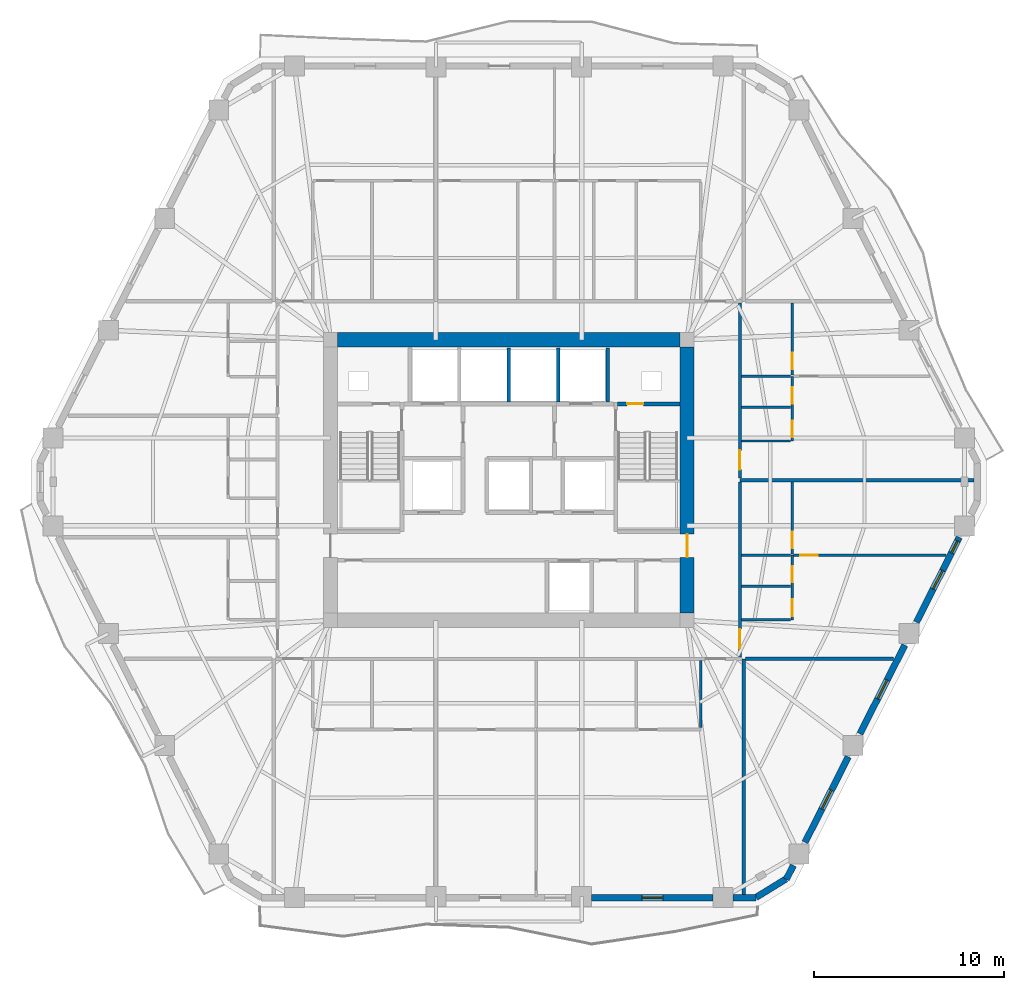
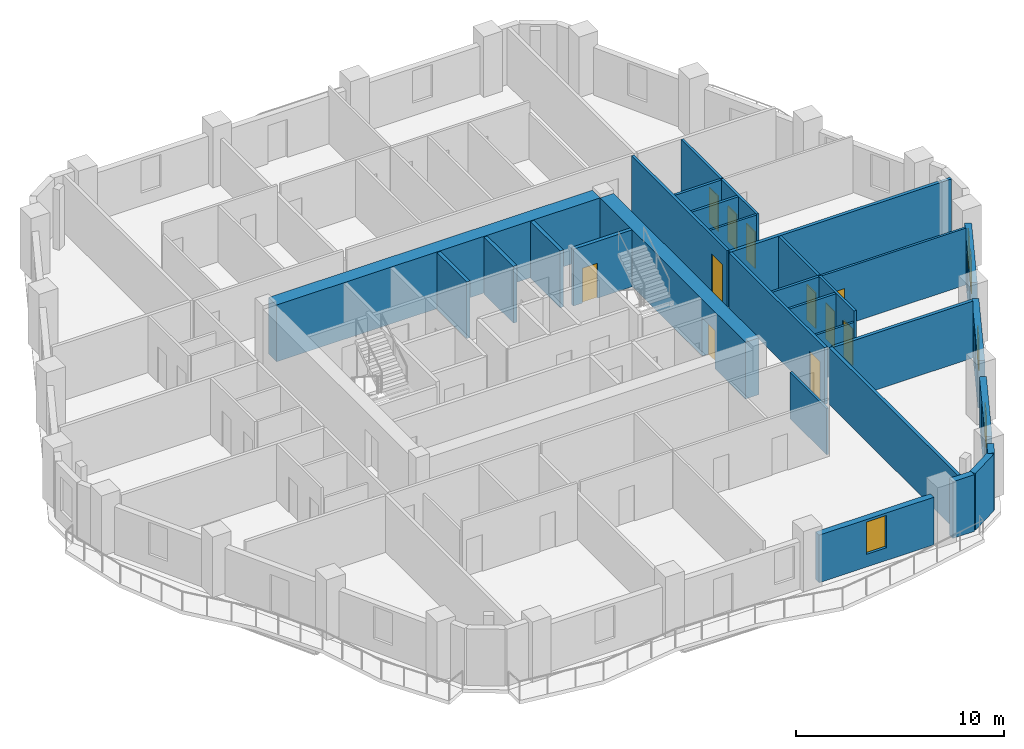
# One storey, part 6 of 11: 30 walls, 11 doors, 5 windows, 16 openings.
"""IFC4 building model written with IfcOpenShell, lengths in metres."""

from ifc_helpers import new_model, si_unit, direction, frame, frame_2d, origin, place, context, subcontext, project, spatial, rectangle, extrude, material, layer, layer_set, type_object, element, fill, save


model = new_model("IFC4")

# Units and contexts
model_context = context("Model", 3, precision=1e-05, world=origin(), true_north=direction((0.0, 1.0)))
body_context = subcontext(model_context, "Body", "Model", "MODEL_VIEW")
ifc_project = project(units=[si_unit("LENGTHUNIT", "METRE"), si_unit("AREAUNIT", "SQUARE_METRE"), si_unit("VOLUMEUNIT", "CUBIC_METRE"), si_unit("PLANEANGLEUNIT", "RADIAN"), si_unit("MASSUNIT", "GRAM", prefix="KILO")], contexts=[model_context])

# Site, building, storey
site_placement = place(None, origin())
site = spatial("IfcSite", under=ifc_project, at=site_placement, CompositionType="ELEMENT")
building_placement = place(site_placement, origin())
building = spatial("IfcBuilding", under=site, at=building_placement, Name="Cinnabar Lancet Tower", CompositionType="ELEMENT")
storey_placement = place(building_placement, frame((0.0, 0.0, 133.89990234375)))
storey = spatial("IfcBuildingStorey", under=building, at=storey_placement, Name="L35", CompositionType="ELEMENT", Elevation=133.89990234375)

# Wall, opening, door
ifc_material_1 = material(Name="Acoustic twin-stud gypsum partition", Category="gypsum")
ifc_layer_1 = layer(ifc_material_1, 0.159912109375)
ifc_layer_set_1 = layer_set([ifc_layer_1], Name="Acoustic twin-stud gypsum partition")
wall_type_1 = type_object("IfcWallType", Name="ARC-WL-CORR-160", PredefinedType="PARTITIONING", material=ifc_layer_set_1)
wall_1_placement = place(storey_placement, frame((44.550048828125, 16.594970703125, 0.0), z_axis=(0.0, 0.0, 1.0), x_axis=(0.0, 1.0, 0.0)))
wall_1 = element("IfcWall", 1, at=wall_1_placement, inside=storey, type_object=wall_type_1, Name="UW-L35-E01-COR", PredefinedType="PARTITIONING", context=body_context, shape_type="SweptSolid", body=[
    extrude(rectangle(XDim=9.2099609375, YDim=0.159912109375, at=frame_2d((4.60498046875, 0.0))), origin(), (0.0, 0.0, 1.0), 3.340087890625),
])
opening_1_placement = place(wall_1_placement, frame((0.449951171875, 0.0, 0.0)))
opening_1 = element("IfcOpeningElement", 2, at=opening_1_placement, cuts=wall_1, Name="Opening UD-01", PredefinedType="OPENING", context=body_context, shape_type="SweptSolid", body=[
    extrude(rectangle(XDim=1.02001953125, YDim=2.25, at=frame_2d((0.510009765625, 1.125))), frame((0.0, 0.08984375, 0.0), z_axis=(0.0, -1.0, 0.0), x_axis=(1.0, 0.0, 0.0)), (0.0, 0.0, 1.0), 0.179931640625),
])
ifc_material_2 = material(Name="Solid timber fire-rated apartment entrance door", Category="wood")
door_type_1 = type_object("IfcDoorType", Name="ARC-DR-UNIT", OperationType="NOTDEFINED", PredefinedType="DOOR", material=ifc_material_2)
door_1_placement = place(opening_1_placement, origin())
door_1 = element("IfcDoor", 3, at=door_1_placement, inside=storey, type_object=door_type_1, Name="DR-L35-E01-ENT", OperationType="SINGLE_SWING_RIGHT", OverallHeight=2.25, OverallWidth=1.02001953125, PredefinedType="DOOR", context=body_context, shape_type="SweptSolid", body=[
    extrude(rectangle(XDim=1.02001953125, YDim=2.25, at=frame_2d((0.510009765625, 1.125))), frame((0.0, 0.02490234375, 0.0), z_axis=(0.0, -1.0, 0.0), x_axis=(1.0, 0.0, 0.0)), (0.0, 0.0, 1.0), 0.050048828125),
])
fill(opening_1, door_1)

wall_2_placement = place(storey_placement, frame((44.550048828125, 25.9951171875, 0.0), z_axis=(0.0, 0.0, 1.0), x_axis=(0.0, 1.0, 0.0)))
wall_2 = element("IfcWall", 4, at=wall_2_placement, inside=storey, type_object=wall_type_1, Name="UW-L35-E02-COR", PredefinedType="PARTITIONING", context=body_context, shape_type="SweptSolid", body=[
    extrude(rectangle(XDim=9.2099609375, YDim=0.159912109375, at=frame_2d((4.60498046875, 0.0))), origin(), (0.0, 0.0, 1.0), 3.340087890625),
])
opening_2_placement = place(wall_2_placement, frame((0.449951171875, 0.0, 0.0)))
opening_2 = element("IfcOpeningElement", 5, at=opening_2_placement, cuts=wall_2, Name="Opening UD-01", PredefinedType="OPENING", context=body_context, shape_type="SweptSolid", body=[
    extrude(rectangle(XDim=1.02001953125, YDim=2.25, at=frame_2d((0.510009765625, 1.125))), frame((0.0, 0.08984375, 0.0), z_axis=(0.0, -1.0, 0.0), x_axis=(1.0, 0.0, 0.0)), (0.0, 0.0, 1.0), 0.179931640625),
])
door_2_placement = place(opening_2_placement, origin())
door_2 = element("IfcDoor", 6, at=door_2_placement, inside=storey, type_object=door_type_1, Name="DR-L35-E02-ENT", OperationType="SINGLE_SWING_LEFT", OverallHeight=2.25, OverallWidth=1.02001953125, PredefinedType="DOOR", context=body_context, shape_type="SweptSolid", body=[
    extrude(rectangle(XDim=1.02001953125, YDim=2.25, at=frame_2d((0.510009765625, 1.125))), frame((0.0, 0.02490234375, 0.0), z_axis=(0.0, -1.0, 0.0), x_axis=(1.0, 0.0, 0.0)), (0.0, 0.0, 1.0), 0.050048828125),
])
fill(opening_2, door_2)

# Walls
ifc_material_3 = material(Name="Fire-rated twin-frame acoustic drywall", Category="gypsum")
ifc_layer_2 = layer(ifc_material_3, 0.179931640625)
ifc_layer_set_2 = layer_set([ifc_layer_2], Name="Fire-rated twin-frame acoustic drywall")
wall_type_2 = type_object("IfcWallType", Name="ARC-WL-PARTY-180", PredefinedType="PARTITIONING", material=ifc_layer_set_2)
wall_3_placement = place(storey_placement, frame((44.75, 4.10498046875, 0.0), z_axis=(0.0, 0.0, 1.0), x_axis=(0.0, 1.0, 0.0)))
element("IfcWall", 7, at=wall_3_placement, inside=storey, type_object=wall_type_2, Name="PW-L35-SPTY-448", PredefinedType="PARTITIONING", context=body_context, shape_type="SweptSolid", body=[
    extrude(rectangle(XDim=12.39501953125, YDim=0.179931640625, at=frame_2d((6.197509765625, 0.0))), origin(), (0.0, 0.0, 1.0), 3.340087890625),
])
wall_4_placement = place(storey_placement, frame((44.844970703125, 16.5, 0.0), z_axis=(0.0, 0.0, 1.0), x_axis=(1.0, 0.0, 0.0)))
element("IfcWall", 8, at=wall_4_placement, inside=storey, type_object=wall_type_2, Name="PW-L35-ESB", PredefinedType="PARTITIONING", context=body_context, shape_type="SweptSolid", body=[
    extrude(rectangle(XDim=7.77001953125, YDim=0.179931640625, at=frame_2d((3.885009765625, 0.0))), origin(), (0.0, 0.0, 1.0), 3.340087890625),
])
wall_5_placement = place(storey_placement, frame((44.550048828125, 25.89990234375, 0.0), z_axis=(0.0, 0.0, 1.0), x_axis=(1.0, 0.0, 0.0)))
element("IfcWall", 9, at=wall_5_placement, inside=storey, type_object=wall_type_2, Name="PW-L35-EPTY-1", PredefinedType="PARTITIONING", context=body_context, shape_type="SweptSolid", body=[
    extrude(rectangle(XDim=12.307861328125, YDim=0.179931640625, at=frame_2d((6.15380859375, 0.0))), origin(), (0.0, 0.0, 1.0), 3.340087890625),
])

# Wall, opening, door
ifc_material_4 = material(Name="Autoclaved aerated concrete blockwork", Category="masonry")
ifc_layer_3 = layer(ifc_material_4, 0.199951171875)
ifc_layer_set_3 = layer_set([ifc_layer_3], Name="Autoclaved aerated concrete blockwork")
wall_type_3 = type_object("IfcWallType", Name="ARC-WL-SHAFT-200", PredefinedType="PLUMBINGWALL", material=ifc_layer_set_3)
wall_6_placement = place(storey_placement, frame((38.125, 29.89990234375, 0.0), z_axis=(0.0, 0.0, 1.0), x_axis=(1.0, 0.0, 0.0)))
wall_6 = element("IfcWall", 10, at=wall_6_placement, inside=storey, type_object=wall_type_3, Name="CW-NSH-E-L35", PredefinedType="PLUMBINGWALL", context=body_context, shape_type="SweptSolid", body=[
    extrude(rectangle(XDim=3.27001953125, YDim=0.199951171875, at=frame_2d((1.635009765625, 0.0))), origin(), (0.0, 0.0, 1.0), 3.340087890625),
])
opening_3_placement = place(wall_6_placement, frame((0.5, 0.0, 0.0)))
opening_3 = element("IfcOpeningElement", 11, at=opening_3_placement, cuts=wall_6, Name="Opening PD-02", PredefinedType="OPENING", context=body_context, shape_type="SweptSolid", body=[
    extrude(rectangle(XDim=0.85009765625, YDim=2.050048828125, at=frame_2d((0.425048828125, 1.02490234375))), frame((0.0, 0.10986328125, 0.0), z_axis=(0.0, -1.0, 0.0), x_axis=(1.0, 0.0, 0.0)), (0.0, 0.0, 1.0), 0.219970703125),
])
ifc_material_5 = material(Name="Fire-rated steel riser access door", Category="steel")
door_type_2 = type_object("IfcDoorType", Name="ARC-DR-RISER", OperationType="NOTDEFINED", PredefinedType="DOOR", material=ifc_material_5)
door_3_placement = place(opening_3_placement, origin())
door_3 = element("IfcDoor", 12, at=door_3_placement, inside=storey, type_object=door_type_2, Name="L35 East Riser Access Door", OperationType="SINGLE_SWING_RIGHT", OverallHeight=2.050048828125, OverallWidth=0.85009765625, PredefinedType="DOOR", context=body_context, shape_type="SweptSolid", body=[
    extrude(rectangle(XDim=0.85009765625, YDim=2.050048828125, at=frame_2d((0.425048828125, 1.02490234375))), frame((0.0, 0.02490234375, 0.0), z_axis=(0.0, -1.0, 0.0), x_axis=(1.0, 0.0, 0.0)), (0.0, 0.0, 1.0), 0.050048828125),
])
fill(opening_3, door_3)

# Walls
for number, where, z_axis, x_axis, name in (
    (13, (32.39990234375, 30.0, 0.0), (0.0, 0.0, 1.0), (0.0, 1.0, 0.0), "CW-NSH-D3-L35"),
    (14, (35.0, 30.0, 0.0), (0.0, 0.0, 1.0), (0.0, 1.0, 0.0), "CW-NSH-D4-L35"),
    (15, (37.60009765625, 30.0, 0.0), (0.0, 0.0, 1.0), (0.0, 1.0, 0.0), "CW-NSH-D5-L35"),
):
    element("IfcWall", number, at=place(storey_placement, frame(where, z_axis=z_axis, x_axis=x_axis)), inside=storey, type_object=wall_type_3, Name=name, PredefinedType="PLUMBINGWALL", context=body_context, shape_type="SweptSolid", body=[
        extrude(rectangle(XDim=2.85009765625, YDim=0.199951171875, at=frame_2d((1.425048828125, 0.0))), origin(), (0.0, 0.0, 1.0), 3.340087890625),
    ])
ifc_material_6 = material(Name="Gypsum plasterboard stud partition", Category="gypsum")
ifc_layer_4 = layer(ifc_material_6, 0.125)
ifc_layer_set_4 = layer_set([ifc_layer_4], Name="Gypsum plasterboard stud partition")
wall_type_4 = type_object("IfcWallType", Name="ARC-WL-UNIT-125", PredefinedType="PARTITIONING", material=ifc_layer_set_4)
wall_7_placement = place(storey_placement, frame((42.5, 12.886962890625, 0.0), z_axis=(0.0, 0.0, 1.0), x_axis=(0.0, 1.0, 0.0)))
element("IfcWall", 16, at=wall_7_placement, inside=storey, type_object=wall_type_4, Name="UW-L35-S02-FOYW", PredefinedType="PARTITIONING", context=body_context, shape_type="SweptSolid", body=[
    extrude(rectangle(XDim=3.528076171875, YDim=0.125, at=frame_2d((1.76416015625, 0.0))), origin(), (0.0, 0.0, 1.0), 2.72216796875),
])
wall_8_placement = place(storey_placement, frame((44.635009765625, 18.550048828125, 0.0), z_axis=(0.0, 0.0, 1.0), x_axis=(1.0, 0.0, 0.0)))
element("IfcWall", 17, at=wall_8_placement, inside=storey, type_object=wall_type_4, Name="UW-L35-E01-FOYN", PredefinedType="PARTITIONING", context=body_context, shape_type="SweptSolid", body=[
    extrude(rectangle(XDim=2.580078125, YDim=0.125, at=frame_2d((1.2900390625, 0.0))), origin(), (0.0, 0.0, 1.0), 2.72216796875),
])

# Wall, opening, door
wall_9_placement = place(storey_placement, frame((47.375, 21.949951171875, 0.0), z_axis=(0.0, 0.0, 1.0), x_axis=(1.0, 0.0, 0.0)))
wall_9 = element("IfcWall", 18, at=wall_9_placement, inside=storey, type_object=wall_type_4, Name="UW-L35-E01-MBN", PredefinedType="PARTITIONING", context=body_context, shape_type="SweptSolid", body=[
    extrude(rectangle(XDim=8.012939453125, YDim=0.125, at=frame_2d((4.00634765625, 0.0))), origin(), (0.0, 0.0, 1.0), 3.340087890625),
])
opening_4_placement = place(wall_9_placement, frame((0.35009765625, 0.0, 0.0)))
opening_4 = element("IfcOpeningElement", 19, at=opening_4_placement, cuts=wall_9, Name="Opening RD-01", PredefinedType="OPENING", context=body_context, shape_type="SweptSolid", body=[
    extrude(rectangle(XDim=0.919921875, YDim=2.14990234375, at=frame_2d((0.4599609375, 1.074951171875))), frame((0.0, 0.072509765625, 0.0), z_axis=(0.0, -1.0, 0.0), x_axis=(1.0, 0.0, 0.0)), (0.0, 0.0, 1.0), 0.14501953125),
])
ifc_material_7 = material(Name="Engineered timber bedroom door", Category="wood")
door_type_3 = type_object("IfcDoorType", Name="ARC-DR-ROOM", OperationType="NOTDEFINED", PredefinedType="DOOR", material=ifc_material_7)
door_4_placement = place(opening_4_placement, origin())
door_4 = element("IfcDoor", 20, at=door_4_placement, inside=storey, type_object=door_type_3, Name="DR-L35-E01-MBD", OperationType="SINGLE_SWING_RIGHT", OverallHeight=2.14990234375, OverallWidth=0.919921875, PredefinedType="DOOR", context=body_context, shape_type="SweptSolid", body=[
    extrude(rectangle(XDim=0.919921875, YDim=2.14990234375, at=frame_2d((0.4599609375, 1.074951171875))), frame((0.0, 0.02490234375, 0.0), z_axis=(0.0, -1.0, 0.0), x_axis=(1.0, 0.0, 0.0)), (0.0, 0.0, 1.0), 0.050048828125),
])
fill(opening_4, door_4)

# Wall
wall_10_placement = place(storey_placement, frame((44.635009765625, 27.949951171875, 0.0), z_axis=(0.0, 0.0, 1.0), x_axis=(1.0, 0.0, 0.0)))
element("IfcWall", 21, at=wall_10_placement, inside=storey, type_object=wall_type_4, Name="UW-L35-E02-FOYN", PredefinedType="PARTITIONING", context=body_context, shape_type="SweptSolid", body=[
    extrude(rectangle(XDim=2.580078125, YDim=0.125, at=frame_2d((1.2900390625, 0.0))), origin(), (0.0, 0.0, 1.0), 3.340087890625),
])

# Wall, openings, doors
ifc_material_8 = material(Name="Moisture-resistant cement-board plumbing wall", Category="masonry")
ifc_layer_5 = layer(ifc_material_8, 0.139892578125)
ifc_layer_set_5 = layer_set([ifc_layer_5], Name="Moisture-resistant cement-board plumbing wall")
wall_type_5 = type_object("IfcWallType", Name="ARC-WL-WET-140", PredefinedType="PLUMBINGWALL", material=ifc_layer_set_5)
wall_11_placement = place(storey_placement, frame((47.300048828125, 18.550048828125, 0.0), z_axis=(0.0, 0.0, 1.0), x_axis=(0.0, 1.0, 0.0)))
wall_11 = element("IfcWall", 22, at=wall_11_placement, inside=storey, type_object=wall_type_5, Name="UW-L35-E01-SPL", PredefinedType="PLUMBINGWALL", context=body_context, shape_type="SweptSolid", body=[
    extrude(rectangle(XDim=3.39990234375, YDim=0.139892578125, at=frame_2d((1.699951171875, 0.0))), origin(), (0.0, 0.0, 1.0), 3.340087890625),
])
opening_5_placement = place(wall_11_placement, frame((0.199951171875, 0.0, 0.0)))
opening_5 = element("IfcOpeningElement", 23, at=opening_5_placement, cuts=wall_11, Name="Opening RD-02", PredefinedType="OPENING", context=body_context, shape_type="SweptSolid", body=[
    extrude(rectangle(XDim=0.8798828125, YDim=2.14990234375, at=frame_2d((0.43994140625, 1.074951171875))), frame((0.0, 0.079833984375, 0.0), z_axis=(0.0, -1.0, 0.0), x_axis=(1.0, 0.0, 0.0)), (0.0, 0.0, 1.0), 0.159912109375),
])
opening_6_placement = place(wall_11_placement, frame((1.968017578125, 0.0, 0.0)))
opening_6 = element("IfcOpeningElement", 24, at=opening_6_placement, cuts=wall_11, Name="Opening BD-01", PredefinedType="OPENING", context=body_context, shape_type="SweptSolid", body=[
    extrude(rectangle(XDim=0.860107421875, YDim=2.10009765625, at=frame_2d((0.43017578125, 1.050048828125))), frame((0.0, 0.079833984375, 0.0), z_axis=(0.0, -1.0, 0.0), x_axis=(1.0, 0.0, 0.0)), (0.0, 0.0, 1.0), 0.159912109375),
])
ifc_material_9 = material(Name="Moisture-resistant timber bathroom door", Category="wood")
door_type_4 = type_object("IfcDoorType", Name="ARC-DR-BATH", OperationType="NOTDEFINED", PredefinedType="DOOR", material=ifc_material_9)
door_5_placement = place(opening_6_placement, origin())
door_5 = element("IfcDoor", 25, at=door_5_placement, inside=storey, type_object=door_type_4, Name="DR-L35-E01-BTH", OperationType="SINGLE_SWING_RIGHT", OverallHeight=2.10009765625, OverallWidth=0.860107421875, PredefinedType="DOOR", context=body_context, shape_type="SweptSolid", body=[
    extrude(rectangle(XDim=0.860107421875, YDim=2.10009765625, at=frame_2d((0.43017578125, 1.050048828125))), frame((0.0, 0.02490234375, 0.0), z_axis=(0.0, -1.0, 0.0), x_axis=(1.0, 0.0, 0.0)), (0.0, 0.0, 1.0), 0.050048828125),
])
fill(opening_6, door_5)
ifc_material_10 = material(Name="Engineered timber study door", Category="wood")
door_type_5 = type_object("IfcDoorType", Name="ARC-DR-STUDY", OperationType="NOTDEFINED", PredefinedType="DOOR", material=ifc_material_10)
door_6_placement = place(opening_5_placement, origin())
door_6 = element("IfcDoor", 26, at=door_6_placement, inside=storey, type_object=door_type_5, Name="DR-L35-E01-KIT", OperationType="SINGLE_SWING_LEFT", OverallHeight=2.14990234375, OverallWidth=0.8798828125, PredefinedType="DOOR", context=body_context, shape_type="SweptSolid", body=[
    extrude(rectangle(XDim=0.8798828125, YDim=2.14990234375, at=frame_2d((0.43994140625, 1.074951171875))), frame((0.0, 0.02490234375, 0.0), z_axis=(0.0, -1.0, 0.0), x_axis=(1.0, 0.0, 0.0)), (0.0, 0.0, 1.0), 0.050048828125),
])
fill(opening_5, door_6)

# Wall, opening, door
wall_12_placement = place(storey_placement, frame((47.300048828125, 22.02001953125, 0.0), z_axis=(0.0, 0.0, 1.0), x_axis=(0.0, 1.0, 0.0)))
wall_12 = element("IfcWall", 27, at=wall_12_placement, inside=storey, type_object=wall_type_5, Name="UW-L35-E01-SPM", PredefinedType="PLUMBINGWALL", context=body_context, shape_type="SweptSolid", body=[
    extrude(rectangle(XDim=3.784912109375, YDim=0.139892578125, at=frame_2d((1.892578125, 0.0))), origin(), (0.0, 0.0, 1.0), 3.340087890625),
])
opening_7_placement = place(wall_12_placement, frame((0.300048828125, 0.0, 0.0)))
opening_7 = element("IfcOpeningElement", 28, at=opening_7_placement, cuts=wall_12, Name="Opening BD-01", PredefinedType="OPENING", context=body_context, shape_type="SweptSolid", body=[
    extrude(rectangle(XDim=0.860107421875, YDim=2.10009765625, at=frame_2d((0.43017578125, 1.050048828125))), frame((0.0, 0.079833984375, 0.0), z_axis=(0.0, -1.0, 0.0), x_axis=(1.0, 0.0, 0.0)), (0.0, 0.0, 1.0), 0.159912109375),
])
door_7_placement = place(opening_7_placement, origin())
door_7 = element("IfcDoor", 29, at=door_7_placement, inside=storey, type_object=door_type_4, Name="DR-L35-E01-ENS", OperationType="SINGLE_SWING_RIGHT", OverallHeight=2.10009765625, OverallWidth=0.860107421875, PredefinedType="DOOR", context=body_context, shape_type="SweptSolid", body=[
    extrude(rectangle(XDim=0.860107421875, YDim=2.10009765625, at=frame_2d((0.43017578125, 1.050048828125))), frame((0.0, 0.02490234375, 0.0), z_axis=(0.0, -1.0, 0.0), x_axis=(1.0, 0.0, 0.0)), (0.0, 0.0, 1.0), 0.050048828125),
])
fill(opening_7, door_7)

# Walls
for number, where, z_axis, x_axis, name in (
    (30, (44.635009765625, 21.949951171875, 0.0), (0.0, 0.0, 1.0), (1.0, 0.0, 0.0), "UW-L35-E01-ENSN"),
    (31, (44.635009765625, 20.318115234375, 0.0), (0.0, 0.0, 1.0), (1.0, 0.0, 0.0), "UW-L35-E01-KDV"),
):
    element("IfcWall", number, at=place(storey_placement, frame(where, z_axis=z_axis, x_axis=x_axis)), inside=storey, type_object=wall_type_5, Name=name, PredefinedType="PLUMBINGWALL", context=body_context, shape_type="SweptSolid", body=[
        extrude(rectangle(XDim=2.580078125, YDim=0.139892578125, at=frame_2d((1.2900390625, 0.0))), origin(), (0.0, 0.0, 1.0), 3.340087890625),
    ])

# Wall, openings, doors
wall_13_placement = place(storey_placement, frame((47.300048828125, 27.949951171875, 0.0), z_axis=(0.0, 0.0, 1.0), x_axis=(0.0, 1.0, 0.0)))
wall_13 = element("IfcWall", 32, at=wall_13_placement, inside=storey, type_object=wall_type_5, Name="UW-L35-E02-SPL", PredefinedType="PLUMBINGWALL", context=body_context, shape_type="SweptSolid", body=[
    extrude(rectangle(XDim=3.402099609375, YDim=0.139892578125, at=frame_2d((1.701171875, 0.0))), origin(), (0.0, 0.0, 1.0), 3.340087890625),
])
opening_8_placement = place(wall_13_placement, frame((0.199951171875, 0.0, 0.0)))
opening_8 = element("IfcOpeningElement", 33, at=opening_8_placement, cuts=wall_13, Name="Opening RD-02", PredefinedType="OPENING", context=body_context, shape_type="SweptSolid", body=[
    extrude(rectangle(XDim=0.8798828125, YDim=2.14990234375, at=frame_2d((0.43994140625, 1.074951171875))), frame((0.0, 0.079833984375, 0.0), z_axis=(0.0, -1.0, 0.0), x_axis=(1.0, 0.0, 0.0)), (0.0, 0.0, 1.0), 0.159912109375),
])
opening_9_placement = place(wall_13_placement, frame((1.968994140625, 0.0, 0.0)))
opening_9 = element("IfcOpeningElement", 34, at=opening_9_placement, cuts=wall_13, Name="Opening BD-01", PredefinedType="OPENING", context=body_context, shape_type="SweptSolid", body=[
    extrude(rectangle(XDim=0.860107421875, YDim=2.10009765625, at=frame_2d((0.43017578125, 1.050048828125))), frame((0.0, 0.079833984375, 0.0), z_axis=(0.0, -1.0, 0.0), x_axis=(1.0, 0.0, 0.0)), (0.0, 0.0, 1.0), 0.159912109375),
])
door_8_placement = place(opening_9_placement, origin())
door_8 = element("IfcDoor", 35, at=door_8_placement, inside=storey, type_object=door_type_4, Name="DR-L35-E02-BTH", OperationType="SINGLE_SWING_LEFT", OverallHeight=2.10009765625, OverallWidth=0.860107421875, PredefinedType="DOOR", context=body_context, shape_type="SweptSolid", body=[
    extrude(rectangle(XDim=0.860107421875, YDim=2.10009765625, at=frame_2d((0.43017578125, 1.050048828125))), frame((0.0, 0.02490234375, 0.0), z_axis=(0.0, -1.0, 0.0), x_axis=(1.0, 0.0, 0.0)), (0.0, 0.0, 1.0), 0.050048828125),
])
fill(opening_9, door_8)
door_9_placement = place(opening_8_placement, origin())
door_9 = element("IfcDoor", 36, at=door_9_placement, inside=storey, type_object=door_type_5, Name="DR-L35-E02-KIT", OperationType="SINGLE_SWING_RIGHT", OverallHeight=2.14990234375, OverallWidth=0.8798828125, PredefinedType="DOOR", context=body_context, shape_type="SweptSolid", body=[
    extrude(rectangle(XDim=0.8798828125, YDim=2.14990234375, at=frame_2d((0.43994140625, 1.074951171875))), frame((0.0, 0.02490234375, 0.0), z_axis=(0.0, -1.0, 0.0), x_axis=(1.0, 0.0, 0.0)), (0.0, 0.0, 1.0), 0.050048828125),
])
fill(opening_8, door_9)

# Wall, opening, door
wall_14_placement = place(storey_placement, frame((47.300048828125, 31.422119140625, 0.0), z_axis=(0.0, 0.0, 1.0), x_axis=(0.0, 1.0, 0.0)))
wall_14 = element("IfcWall", 37, at=wall_14_placement, inside=storey, type_object=wall_type_5, Name="UW-L35-E02-SPM", PredefinedType="PLUMBINGWALL", context=body_context, shape_type="SweptSolid", body=[
    extrude(rectangle(XDim=3.782958984375, YDim=0.139892578125, at=frame_2d((1.8916015625, 0.0))), origin(), (0.0, 0.0, 1.0), 3.340087890625),
])
opening_10_placement = place(wall_14_placement, frame((0.300048828125, 0.0, 0.0)))
opening_10 = element("IfcOpeningElement", 38, at=opening_10_placement, cuts=wall_14, Name="Opening BD-01", PredefinedType="OPENING", context=body_context, shape_type="SweptSolid", body=[
    extrude(rectangle(XDim=0.860107421875, YDim=2.10009765625, at=frame_2d((0.43017578125, 1.050048828125))), frame((0.0, 0.079833984375, 0.0), z_axis=(0.0, -1.0, 0.0), x_axis=(1.0, 0.0, 0.0)), (0.0, 0.0, 1.0), 0.159912109375),
])
door_10_placement = place(opening_10_placement, origin())
door_10 = element("IfcDoor", 39, at=door_10_placement, inside=storey, type_object=door_type_4, Name="DR-L35-E02-ENS", OperationType="SINGLE_SWING_LEFT", OverallHeight=2.10009765625, OverallWidth=0.860107421875, PredefinedType="DOOR", context=body_context, shape_type="SweptSolid", body=[
    extrude(rectangle(XDim=0.860107421875, YDim=2.10009765625, at=frame_2d((0.43017578125, 1.050048828125))), frame((0.0, 0.02490234375, 0.0), z_axis=(0.0, -1.0, 0.0), x_axis=(1.0, 0.0, 0.0)), (0.0, 0.0, 1.0), 0.050048828125),
])
fill(opening_10, door_10)

# Walls
for number, where, z_axis, x_axis, name in (
    (40, (44.635009765625, 31.35205078125, 0.0), (0.0, 0.0, 1.0), (1.0, 0.0, 0.0), "UW-L35-E02-ENSN"),
    (41, (44.635009765625, 29.718994140625, 0.0), (0.0, 0.0, 1.0), (1.0, 0.0, 0.0), "UW-L35-E02-KDV"),
):
    element("IfcWall", number, at=place(storey_placement, frame(where, z_axis=z_axis, x_axis=x_axis)), inside=storey, type_object=wall_type_5, Name=name, PredefinedType="PLUMBINGWALL", context=body_context, shape_type="SweptSolid", body=[
        extrude(rectangle(XDim=2.580078125, YDim=0.139892578125, at=frame_2d((1.2900390625, 0.0))), origin(), (0.0, 0.0, 1.0), 3.340087890625),
    ])
ifc_material_11 = material(Name="Cinnabar red clay brick", Category="masonry")
ifc_layer_6 = layer(ifc_material_11, 0.340087890625)
ifc_layer_set_6 = layer_set([ifc_layer_6], Name="Cinnabar red clay brick")
wall_type_6 = type_object("IfcWallType", Name="ENV-WL-BRK-RED-340", PredefinedType="STANDARD", material=ifc_layer_set_6)
wall_15_placement = place(storey_placement, frame((45.39697265625, 3.955078125, 0.0), z_axis=(0.0, 0.0, 1.0), x_axis=(0.851798915137, 0.523868884523, 0.0)))
element("IfcWall", 42, at=wall_15_placement, inside=storey, type_object=wall_type_6, Name="L35 Chamfered Corner Brick Pier 2.1", PredefinedType="STANDARD", context=body_context, shape_type="SweptSolid", body=[
    extrude(rectangle(XDim=1.847900390625, YDim=0.340087890625, at=frame_2d((0.923828125, 0.0))), origin(), (0.0, 0.0, 1.0), 3.340087890625),
])

# Wall, opening, window
wall_16_placement = place(storey_placement, frame((36.760986328125, 3.929931640625, 0.0), z_axis=(0.0, 0.0, 1.0), x_axis=(1.0, 0.0, 0.0)))
wall_16 = element("IfcWall", 43, at=wall_16_placement, inside=storey, type_object=wall_type_6, Name="L35 Face 1 Masonry Bay Wall 4", PredefinedType="STANDARD", context=body_context, shape_type="SweptSolid", body=[
    extrude(rectangle(XDim=6.37890625, YDim=0.340087890625, at=frame_2d((3.189453125, 0.0))), origin(), (0.0, 0.0, 1.0), 2.797119140625),
])
opening_11_placement = place(wall_16_placement, frame((2.638916015625, 0.0, 0.75)))
opening_11 = element("IfcOpeningElement", 44, at=opening_11_placement, cuts=wall_16, Name="Opening WN-04", PredefinedType="OPENING", context=body_context, shape_type="SweptSolid", body=[
    extrude(rectangle(XDim=1.10009765625, YDim=1.89697265625, at=frame_2d((0.550048828125, 0.948486328125))), frame((0.0, 0.179931640625, 0.0), z_axis=(0.0, -1.0, 0.0), x_axis=(1.0, 0.0, 0.0)), (0.0, 0.0, 1.0), 0.360107421875),
])
ifc_material_12 = material(Name="Thermally broken bronze-anodized aluminium tall lancet window", Category="aluminium")
window_type = type_object("IfcWindowType", Name="ENV-WN-LANCET-1100", PartitioningType="SINGLE_PANEL", PredefinedType="WINDOW", material=ifc_material_12)
window_1_placement = place(opening_11_placement, origin())
window_1 = element("IfcWindow", 45, at=window_1_placement, inside=storey, type_object=window_type, Name="L35 Face 1 Gothic Lancet Window 4", OverallHeight=1.89697265625, OverallWidth=1.10009765625, PartitioningType="SINGLE_PANEL", PredefinedType="WINDOW", context=body_context, shape_type="SweptSolid", body=[
    extrude(rectangle(XDim=1.10009765625, YDim=1.89697265625, at=frame_2d((0.550048828125, 0.948486328125))), frame((0.0, 0.030029296875, 0.0), z_axis=(0.0, -1.0, 0.0), x_axis=(1.0, 0.0, 0.0)), (0.0, 0.0, 1.0), 0.06005859375),
])
fill(opening_11, window_1)

# Walls
wall_17_placement = place(storey_placement, frame((44.197998046875, 3.929931640625, 0.0), z_axis=(0.0, 0.0, 1.0), x_axis=(1.0, 0.0, 0.0)))
element("IfcWall", 46, at=wall_17_placement, inside=storey, type_object=wall_type_6, Name="L35 Face 1 Masonry Bay Wall 5", PredefinedType="STANDARD", context=body_context, shape_type="SweptSolid", body=[
    extrude(rectangle(XDim=1.2041015625, YDim=0.340087890625, at=frame_2d((0.60205078125, 0.0))), origin(), (0.0, 0.0, 1.0), 3.340087890625),
])
wall_18_placement = place(storey_placement, frame((46.990966796875, 4.906982421875, 0.0), z_axis=(0.0, 0.0, 1.0), x_axis=(0.45172514337, 0.892157158155, 0.0)))
element("IfcWall", 47, at=wall_18_placement, inside=storey, type_object=wall_type_6, Name="L35 Face 2 Masonry Bay Wall 1", PredefinedType="STANDARD", context=body_context, shape_type="SweptSolid", body=[
    extrude(rectangle(XDim=0.821533203125, YDim=0.340087890625, at=frame_2d((0.41064453125, 0.0))), origin(), (0.0, 0.0, 1.0), 3.340087890625),
])

# Wall, opening, window
wall_19_placement = place(storey_placement, frame((47.97509765625, 6.85205078125, 0.0), z_axis=(0.0, 0.0, 1.0), x_axis=(0.451548465867, 0.892246593142, 0.0)))
wall_19 = element("IfcWall", 48, at=wall_19_placement, inside=storey, type_object=wall_type_6, Name="L35 Face 2 Masonry Bay Wall 2", PredefinedType="STANDARD", context=body_context, shape_type="SweptSolid", body=[
    extrude(rectangle(XDim=5.040283203125, YDim=0.340087890625, at=frame_2d((2.52001953125, 0.0))), origin(), (0.0, 0.0, 1.0), 2.797119140625),
])
opening_12_placement = place(wall_19_placement, frame((1.969970703125, 0.0, 0.75)))
opening_12 = element("IfcOpeningElement", 49, at=opening_12_placement, cuts=wall_19, Name="Opening WN-04", PredefinedType="OPENING", context=body_context, shape_type="SweptSolid", body=[
    extrude(rectangle(XDim=1.10009765625, YDim=1.89697265625, at=frame_2d((0.550048828125, 0.948486328125))), frame((0.0, 0.179931640625, 0.0), z_axis=(0.0, -1.0, 0.0), x_axis=(1.0, 0.0, 0.0)), (0.0, 0.0, 1.0), 0.360107421875),
])
window_2_placement = place(opening_12_placement, origin())
window_2 = element("IfcWindow", 50, at=window_2_placement, inside=storey, type_object=window_type, Name="L35 Face 2 Gothic Lancet Window 2", OverallHeight=1.89697265625, OverallWidth=1.10009765625, PartitioningType="SINGLE_PANEL", PredefinedType="WINDOW", context=body_context, shape_type="SweptSolid", body=[
    extrude(rectangle(XDim=1.10009765625, YDim=1.89697265625, at=frame_2d((0.550048828125, 0.948486328125))), frame((0.0, 0.030029296875, 0.0), z_axis=(0.0, -1.0, 0.0), x_axis=(1.0, 0.0, 0.0)), (0.0, 0.0, 1.0), 0.06005859375),
])
fill(opening_12, window_2)

wall_20_placement = place(storey_placement, frame((50.863037109375, 12.56103515625, 0.0), z_axis=(0.0, 0.0, 1.0), x_axis=(0.451567731634, 0.892236842855, 0.0)))
wall_20 = element("IfcWall", 51, at=wall_20_placement, inside=storey, type_object=wall_type_6, Name="L35 Face 2 Masonry Bay Wall 3", PredefinedType="STANDARD", context=body_context, shape_type="SweptSolid", body=[
    extrude(rectangle(XDim=5.219482421875, YDim=0.340087890625, at=frame_2d((2.60986328125, 0.0))), origin(), (0.0, 0.0, 1.0), 2.797119140625),
])
opening_13_placement = place(wall_20_placement, frame((2.06005859375, 0.0, 0.75)))
opening_13 = element("IfcOpeningElement", 52, at=opening_13_placement, cuts=wall_20, Name="Opening WN-04", PredefinedType="OPENING", context=body_context, shape_type="SweptSolid", body=[
    extrude(rectangle(XDim=1.10009765625, YDim=1.89697265625, at=frame_2d((0.550048828125, 0.948486328125))), frame((0.0, 0.179931640625, 0.0), z_axis=(0.0, -1.0, 0.0), x_axis=(1.0, 0.0, 0.0)), (0.0, 0.0, 1.0), 0.360107421875),
])
window_3_placement = place(opening_13_placement, origin())
window_3 = element("IfcWindow", 53, at=window_3_placement, inside=storey, type_object=window_type, Name="L35 Face 2 Gothic Lancet Window 3", OverallHeight=1.89697265625, OverallWidth=1.10009765625, PartitioningType="SINGLE_PANEL", PredefinedType="WINDOW", context=body_context, shape_type="SweptSolid", body=[
    extrude(rectangle(XDim=1.10009765625, YDim=1.89697265625, at=frame_2d((0.550048828125, 0.948486328125))), frame((0.0, 0.030029296875, 0.0), z_axis=(0.0, -1.0, 0.0), x_axis=(1.0, 0.0, 0.0)), (0.0, 0.0, 1.0), 0.06005859375),
])
fill(opening_13, window_3)

# Wall, openings, windows
wall_21_placement = place(storey_placement, frame((53.83203125, 18.427978515625, 0.0), z_axis=(0.0, 0.0, 1.0), x_axis=(0.451431617681, 0.892305718102, 0.0)))
wall_21 = element("IfcWall", 54, at=wall_21_placement, inside=storey, type_object=wall_type_6, Name="L35 Face 2 Masonry Bay Wall 4", PredefinedType="STANDARD", context=body_context, shape_type="SweptSolid", body=[
    extrude(rectangle(XDim=4.994873046875, YDim=0.340087890625, at=frame_2d((2.49755859375, 0.0))), origin(), (0.0, 0.0, 1.0), 2.797119140625),
])
opening_14_placement = place(wall_21_placement, frame((1.947021484375, 0.0, 0.75)))
opening_14 = element("IfcOpeningElement", 55, at=opening_14_placement, cuts=wall_21, Name="Opening WN-04", PredefinedType="OPENING", context=body_context, shape_type="SweptSolid", body=[
    extrude(rectangle(XDim=1.10009765625, YDim=1.89697265625, at=frame_2d((0.550048828125, 0.948486328125))), frame((0.0, 0.179931640625, 0.0), z_axis=(0.0, -1.0, 0.0), x_axis=(1.0, 0.0, 0.0)), (0.0, 0.0, 1.0), 0.360107421875),
])
opening_15_placement = place(wall_21_placement, frame((4.0849609375, 0.0, 0.75)))
opening_15 = element("IfcOpeningElement", 56, at=opening_15_placement, cuts=wall_21, Name="Opening WN-04", PredefinedType="OPENING", context=body_context, shape_type="SweptSolid", body=[
    extrude(rectangle(XDim=0.699951171875, YDim=1.89697265625, at=frame_2d((0.35009765625, 0.948486328125))), frame((0.0, 0.179931640625, 0.0), z_axis=(0.0, -1.0, 0.0), x_axis=(1.0, 0.0, 0.0)), (0.0, 0.0, 1.0), 0.360107421875),
])
window_4_placement = place(opening_14_placement, origin())
window_4 = element("IfcWindow", 57, at=window_4_placement, inside=storey, type_object=window_type, Name="L35 Face 2 Gothic Lancet Window 4", OverallHeight=1.89697265625, OverallWidth=1.10009765625, PartitioningType="SINGLE_PANEL", PredefinedType="WINDOW", context=body_context, shape_type="SweptSolid", body=[
    extrude(rectangle(XDim=1.10009765625, YDim=1.89697265625, at=frame_2d((0.550048828125, 0.948486328125))), frame((0.0, 0.030029296875, 0.0), z_axis=(0.0, -1.0, 0.0), x_axis=(1.0, 0.0, 0.0)), (0.0, 0.0, 1.0), 0.06005859375),
])
fill(opening_14, window_4)
window_5_placement = place(opening_15_placement, origin())
window_5 = element("IfcWindow", 58, at=window_5_placement, inside=storey, type_object=window_type, Name="L35 Dwelling Gothic Lancet Window 324", OverallHeight=1.89697265625, OverallWidth=0.699951171875, PartitioningType="SINGLE_PANEL", PredefinedType="WINDOW", context=body_context, shape_type="SweptSolid", body=[
    extrude(rectangle(XDim=0.699951171875, YDim=1.89697265625, at=frame_2d((0.35009765625, 0.948486328125))), frame((0.0, 0.030029296875, 0.0), z_axis=(0.0, -1.0, 0.0), x_axis=(1.0, 0.0, 0.0)), (0.0, 0.0, 1.0), 0.06005859375),
])
fill(opening_15, window_5)

# Wall
ifc_material_13 = material(Name="Concrete C70/85", Category="concrete")
ifc_layer_7 = layer(ifc_material_13, 0.75)
ifc_layer_set_7 = layer_set([ifc_layer_7], Name="Concrete C70/85")
wall_type_7 = type_object("IfcWallType", Name="STR-WL-CORE-750", PredefinedType="SHEAR", material=ifc_layer_set_7)
wall_22_placement = place(storey_placement, frame((23.39990234375, 33.27490234375, 0.0), z_axis=(0.0, 0.0, 1.0), x_axis=(1.0, 0.0, 0.0)))
element("IfcWall", 59, at=wall_22_placement, inside=storey, type_object=wall_type_7, Name="L35 Core Shear Wall N", PredefinedType="SHEAR", context=body_context, shape_type="SweptSolid", body=[
    extrude(rectangle(XDim=18.0, YDim=0.75, at=frame_2d((9.0, 0.0))), origin(), (0.0, 0.0, 1.0), 3.340087890625),
])

# Wall, opening, door
wall_23_placement = place(storey_placement, frame((41.77490234375, 18.89990234375, 0.0), z_axis=(0.0, 0.0, 1.0), x_axis=(0.0, 1.0, 0.0)))
wall_23 = element("IfcWall", 60, at=wall_23_placement, inside=storey, type_object=wall_type_7, Name="L35 Core Shear Wall E", PredefinedType="SHEAR", context=body_context, shape_type="SweptSolid", body=[
    extrude(rectangle(XDim=14.0, YDim=0.75, at=frame_2d((7.0, 0.0))), origin(), (0.0, 0.0, 1.0), 3.340087890625),
])
opening_16_placement = place(wall_23_placement, frame((2.93994140625, 0.0, 0.0)))
opening_16 = element("IfcOpeningElement", 61, at=opening_16_placement, cuts=wall_23, Name="Opening FD-02", PredefinedType="OPENING", context=body_context, shape_type="SweptSolid", body=[
    extrude(rectangle(XDim=1.219970703125, YDim=2.25, at=frame_2d((0.60986328125, 1.125))), frame((0.0, 0.385009765625, 0.0), z_axis=(0.0, -1.0, 0.0), x_axis=(1.0, 0.0, 0.0)), (0.0, 0.0, 1.0), 0.77001953125),
])
ifc_material_14 = material(Name="Fire-rated double-vision core portal door", Category="wood")
door_type_6 = type_object("IfcDoorType", Name="ARC-DR-CPORT", OperationType="NOTDEFINED", PredefinedType="DOOR", material=ifc_material_14)
door_11_placement = place(opening_16_placement, origin())
door_11 = element("IfcDoor", 62, at=door_11_placement, inside=storey, type_object=door_type_6, Name="L35 East Core Lobby Fire Door", OperationType="SINGLE_SWING_LEFT", OverallHeight=2.25, OverallWidth=1.219970703125, PredefinedType="DOOR", context=body_context, shape_type="SweptSolid", body=[
    extrude(rectangle(XDim=1.219970703125, YDim=2.25, at=frame_2d((0.60986328125, 1.125))), frame((0.0, 0.02490234375, 0.0), z_axis=(0.0, -1.0, 0.0), x_axis=(1.0, 0.0, 0.0)), (0.0, 0.0, 1.0), 0.050048828125),
])
fill(opening_16, door_11)

save(model, "model.ifc")
